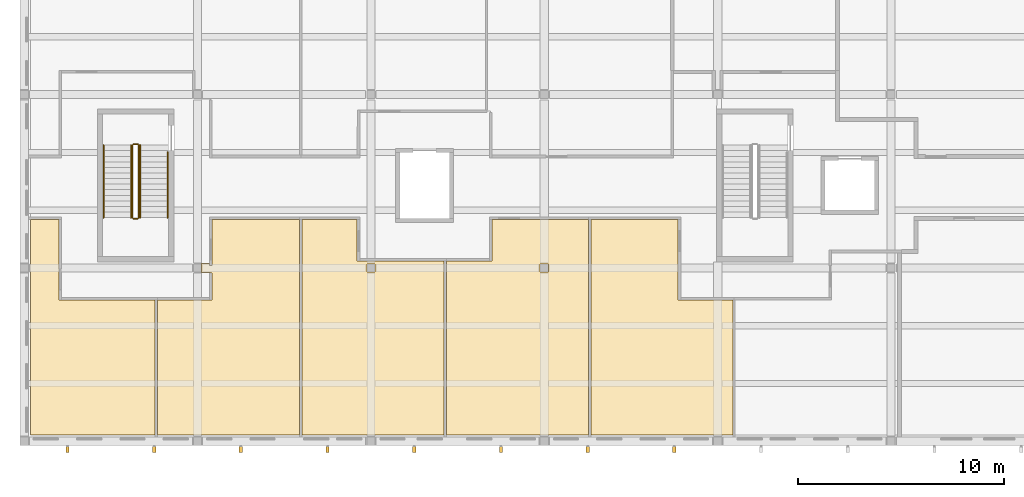
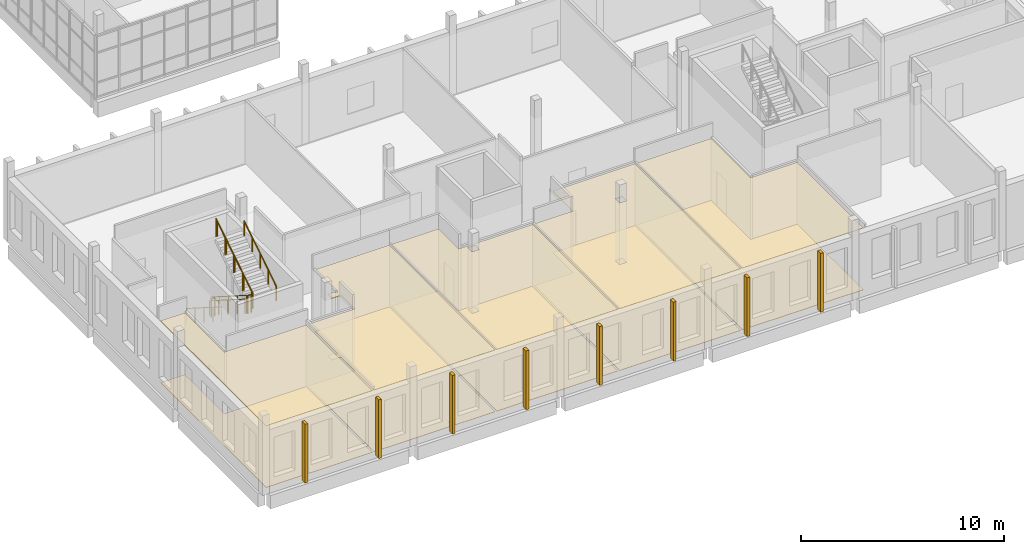
# One storey, part 76 of 103: 18 coverings, 8 railings.
"""IFC4 building model written with IfcOpenShell, lengths in metres."""

from ifc_helpers import new_model, si_unit, direction, frame, origin, origin_2d, place, context, subcontext, project, spatial, polyline, circle, outline, extrude, material, layer, layer_set, type_object, element, save


model = new_model("IFC4")

# Units and contexts
model_context = context("Model", 3, precision=1e-05, world=origin(), true_north=direction((0.0, 1.0)))
body_context = subcontext(model_context, "Body", "Model", "MODEL_VIEW")
ifc_project = project(units=[si_unit("LENGTHUNIT", "METRE"), si_unit("AREAUNIT", "SQUARE_METRE"), si_unit("VOLUMEUNIT", "CUBIC_METRE"), si_unit("PLANEANGLEUNIT", "RADIAN"), si_unit("MASSUNIT", "GRAM", prefix="KILO")], contexts=[model_context])

# Site, building, storey
site_placement = place(None, origin())
site = spatial("IfcSite", under=ifc_project, at=site_placement, CompositionType="ELEMENT")
building_placement = place(site_placement, origin())
building = spatial("IfcBuilding", under=site, at=building_placement, Name="Larchfold Concert Hall", CompositionType="ELEMENT")
storey_placement = place(building_placement, frame((0.0, 0.0, 9.60009765625)))
storey = spatial("IfcBuildingStorey", under=building, at=storey_placement, Name="L02", CompositionType="ELEMENT", Elevation=9.60009765625)

# Coverings
ifc_material_1 = material(Name="Plasterboard ceiling lining")
ifc_layer_1 = layer(ifc_material_1, 0.030029296875)
ifc_layer_set_1 = layer_set([ifc_layer_1], Name="Plasterboard ceiling lining")
covering_type_1 = type_object("IfcCoveringType", Name="Ceiling suspended plasterboard 30", PredefinedType="CEILING", material=ifc_layer_set_1)
covering_1_placement = place(storey_placement, frame((0.0, 0.0, 3.7099609375)))
element("IfcCovering", 1, at=covering_1_placement, inside=storey, type_object=covering_type_1, Name="Ceiling Administration Office 01", PredefinedType="CEILING", context=body_context, shape_type="SweptSolid", body=[
    extrude(outline(polyline([(0.900146484375, 0.900146484375), (6.949951171875, 0.900146484375), (6.949951171875, 7.4375), (2.28759765625, 7.4375), (2.28759765625, 11.33740234375), (0.900146484375, 11.33740234375), (0.900146484375, 0.900146484375)])), origin(), (0.0, 0.0, 1.0), 0.030029296875),
])
covering_2_placement = place(storey_placement, frame((0.0, 0.0, 3.7099609375)))
element("IfcCovering", 2, at=covering_2_placement, inside=storey, type_object=covering_type_1, Name="Ceiling Administration Office 03", PredefinedType="CEILING", context=body_context, shape_type="SweptSolid", body=[
    extrude(outline(polyline([(14.050048828125, 0.900146484375), (20.949951171875, 0.900146484375), (20.949951171875, 9.33740234375), (16.737548828125, 9.33740234375), (16.737548828125, 11.33740234375), (14.050048828125, 11.33740234375), (14.050048828125, 0.900146484375)]), holes=[polyline([(17.599853515625, 8.800048828125), (17.199951171875, 8.800048828125), (17.199951171875, 9.199951171875), (17.599853515625, 9.199951171875), (17.599853515625, 8.800048828125)])]), origin(), (0.0, 0.0, 1.0), 0.030029296875),
])
covering_3_placement = place(storey_placement, frame((0.0, 0.0, 3.7099609375)))
element("IfcCovering", 3, at=covering_3_placement, inside=storey, type_object=covering_type_1, Name="Ceiling Administration Office 05", PredefinedType="CEILING", context=body_context, shape_type="SweptSolid", body=[
    extrude(outline(polyline([(28.050048828125, 0.900146484375), (34.949951171875, 0.900146484375), (34.949951171875, 7.4375), (32.28759765625, 7.4375), (32.28759765625, 11.33740234375), (28.050048828125, 11.33740234375), (28.050048828125, 0.900146484375)])), origin(), (0.0, 0.0, 1.0), 0.030029296875),
])
covering_4_placement = place(storey_placement, frame((0.0, 0.0, 3.7099609375)))
element("IfcCovering", 4, at=covering_4_placement, inside=storey, type_object=covering_type_1, Name="Ceiling Administration Office 02", PredefinedType="CEILING", context=body_context, shape_type="SweptSolid", body=[
    extrude(outline(polyline([(7.050048828125, 0.900146484375), (13.949951171875, 0.900146484375), (13.949951171875, 11.33740234375), (9.71240234375, 11.33740234375), (9.71240234375, 9.12744140625), (9.58740234375, 9.12744140625), (9.58740234375, 9.219970703125), (9.193603515625, 9.219482421875), (9.161376953125, 9.199951171875), (9.199951171875, 9.199951171875), (9.199951171875, 8.800048828125), (9.16357421875, 8.800048828125), (9.167236328125, 8.792236328125), (9.198486328125, 8.780029296875), (9.619384765625, 8.780029296875), (9.619384765625, 8.74755859375), (9.71142578125, 8.74755859375), (9.71142578125, 7.4384765625), (7.050048828125, 7.4384765625), (7.050048828125, 0.900146484375)])), origin(), (0.0, 0.0, 1.0), 0.030029296875),
])
covering_5_placement = place(storey_placement, frame((0.0, 0.0, 3.7099609375)))
element("IfcCovering", 5, at=covering_5_placement, inside=storey, type_object=covering_type_1, Name="Ceiling Administration Office 04", PredefinedType="CEILING", context=body_context, shape_type="SweptSolid", body=[
    extrude(outline(polyline([(21.050048828125, 9.33837890625), (21.050048828125, 0.900146484375), (27.949951171875, 0.900146484375), (27.949951171875, 11.33837890625), (23.262451171875, 11.33837890625), (23.261474609375, 9.33837890625), (21.050048828125, 9.33837890625)]), holes=[polyline([(26.0, 9.199951171875), (26.0, 8.800048828125), (25.60009765625, 8.800048828125), (25.60009765625, 9.199951171875), (26.0, 9.199951171875)])]), origin(), (0.0, 0.0, 1.0), 0.030029296875),
])
ifc_material_2 = material(Name="Linoleum sheet")
ifc_layer_2 = layer(ifc_material_2, 0.02001953125)
ifc_layer_set_2 = layer_set([ifc_layer_2], Name="Linoleum sheet")
covering_type_2 = type_object("IfcCoveringType", Name="Floor finish vinyl 20", PredefinedType="FLOORING", material=ifc_layer_set_2)
covering_6_placement = place(storey_placement, origin())
element("IfcCovering", 6, at=covering_6_placement, inside=storey, type_object=covering_type_2, Name="Floor finish Administration Office 01", PredefinedType="FLOORING", context=body_context, shape_type="SweptSolid", body=[
    extrude(outline(polyline([(0.900146484375, 0.900146484375), (6.949951171875, 0.900146484375), (6.949951171875, 7.4375), (2.28759765625, 7.4375), (2.28759765625, 11.33740234375), (0.900146484375, 11.33740234375), (0.900146484375, 0.900146484375)])), origin(), (0.0, 0.0, 1.0), 0.02001953125),
])
covering_7_placement = place(storey_placement, origin())
element("IfcCovering", 7, at=covering_7_placement, inside=storey, type_object=covering_type_2, Name="Floor finish Administration Office 03", PredefinedType="FLOORING", context=body_context, shape_type="SweptSolid", body=[
    extrude(outline(polyline([(14.050048828125, 0.900146484375), (20.949951171875, 0.900146484375), (20.949951171875, 9.33740234375), (16.737548828125, 9.33740234375), (16.737548828125, 11.33740234375), (14.050048828125, 11.33740234375), (14.050048828125, 0.900146484375)]), holes=[polyline([(17.599853515625, 8.800048828125), (17.199951171875, 8.800048828125), (17.199951171875, 9.199951171875), (17.599853515625, 9.199951171875), (17.599853515625, 8.800048828125)])]), origin(), (0.0, 0.0, 1.0), 0.02001953125),
])
covering_8_placement = place(storey_placement, origin())
element("IfcCovering", 8, at=covering_8_placement, inside=storey, type_object=covering_type_2, Name="Floor finish Administration Office 05", PredefinedType="FLOORING", context=body_context, shape_type="SweptSolid", body=[
    extrude(outline(polyline([(28.050048828125, 0.900146484375), (34.949951171875, 0.900146484375), (34.949951171875, 7.4375), (32.28759765625, 7.4375), (32.28759765625, 11.33740234375), (28.050048828125, 11.33740234375), (28.050048828125, 0.900146484375)])), origin(), (0.0, 0.0, 1.0), 0.02001953125),
])
covering_9_placement = place(storey_placement, origin())
element("IfcCovering", 9, at=covering_9_placement, inside=storey, type_object=covering_type_2, Name="Floor finish Administration Office 02", PredefinedType="FLOORING", context=body_context, shape_type="SweptSolid", body=[
    extrude(outline(polyline([(7.050048828125, 0.900146484375), (13.949951171875, 0.900146484375), (13.949951171875, 11.33740234375), (9.71240234375, 11.33740234375), (9.71240234375, 9.12744140625), (9.58740234375, 9.12744140625), (9.58740234375, 9.219970703125), (9.193603515625, 9.219482421875), (9.161376953125, 9.199951171875), (9.199951171875, 9.199951171875), (9.199951171875, 8.800048828125), (9.16357421875, 8.800048828125), (9.167236328125, 8.792236328125), (9.198486328125, 8.780029296875), (9.619384765625, 8.780029296875), (9.619384765625, 8.74755859375), (9.71142578125, 8.74755859375), (9.71142578125, 7.4384765625), (7.050048828125, 7.4384765625), (7.050048828125, 0.900146484375)])), origin(), (0.0, 0.0, 1.0), 0.02001953125),
])
covering_10_placement = place(storey_placement, origin())
element("IfcCovering", 10, at=covering_10_placement, inside=storey, type_object=covering_type_2, Name="Floor finish Administration Office 04", PredefinedType="FLOORING", context=body_context, shape_type="SweptSolid", body=[
    extrude(outline(polyline([(21.050048828125, 9.33837890625), (21.050048828125, 0.900146484375), (27.949951171875, 0.900146484375), (27.949951171875, 11.33837890625), (23.262451171875, 11.33837890625), (23.261474609375, 9.33837890625), (21.050048828125, 9.33837890625)]), holes=[polyline([(26.0, 9.199951171875), (26.0, 8.800048828125), (25.60009765625, 8.800048828125), (25.60009765625, 9.199951171875), (26.0, 9.199951171875)])]), origin(), (0.0, 0.0, 1.0), 0.02001953125),
])
ifc_material_3 = material(Name="Glulam GL30c", Category="wood")
ifc_layer_3 = layer(ifc_material_3, 0.159912109375)
ifc_layer_set_3 = layer_set([ifc_layer_3], Name="Glulam GL30c")
covering_type_3 = type_object("IfcCoveringType", Name="Glulam fin 160x300", PredefinedType="CLADDING", material=ifc_layer_set_3)
covering_11_placement = place(storey_placement, frame((0.0, 0.0, 0.199951171875)))
element("IfcCovering", 11, at=covering_11_placement, inside=storey, type_object=covering_type_3, Name="Glulam fin FN-L02-019", PredefinedType="CLADDING", context=body_context, shape_type="SweptSolid", body=[
    extrude(outline(polyline([(2.780029296875, 0.050048828125), (2.780029296875, 0.35009765625), (2.6201171875, 0.35009765625), (2.6201171875, 0.050048828125), (2.780029296875, 0.050048828125)])), origin(), (0.0, 0.0, 1.0), 3.5400390625),
])
covering_12_placement = place(storey_placement, frame((0.0, 0.0, 0.199951171875)))
element("IfcCovering", 12, at=covering_12_placement, inside=storey, type_object=covering_type_3, Name="Glulam fin FN-L02-020", PredefinedType="CLADDING", context=body_context, shape_type="SweptSolid", body=[
    extrude(outline(polyline([(6.97998046875, 0.050048828125), (6.97998046875, 0.35009765625), (6.820068359375, 0.35009765625), (6.820068359375, 0.050048828125), (6.97998046875, 0.050048828125)])), origin(), (0.0, 0.0, 1.0), 3.5400390625),
])
covering_13_placement = place(storey_placement, frame((0.0, 0.0, 0.199951171875)))
element("IfcCovering", 13, at=covering_13_placement, inside=storey, type_object=covering_type_3, Name="Glulam fin FN-L02-021", PredefinedType="CLADDING", context=body_context, shape_type="SweptSolid", body=[
    extrude(outline(polyline([(11.179931640625, 0.050048828125), (11.179931640625, 0.35009765625), (11.02001953125, 0.35009765625), (11.02001953125, 0.050048828125), (11.179931640625, 0.050048828125)])), origin(), (0.0, 0.0, 1.0), 3.5400390625),
])
covering_14_placement = place(storey_placement, frame((0.0, 0.0, 0.199951171875)))
element("IfcCovering", 14, at=covering_14_placement, inside=storey, type_object=covering_type_3, Name="Glulam fin FN-L02-022", PredefinedType="CLADDING", context=body_context, shape_type="SweptSolid", body=[
    extrude(outline(polyline([(15.3798828125, 0.050048828125), (15.3798828125, 0.35009765625), (15.219970703125, 0.35009765625), (15.219970703125, 0.050048828125), (15.3798828125, 0.050048828125)])), origin(), (0.0, 0.0, 1.0), 3.5400390625),
])
covering_15_placement = place(storey_placement, frame((0.0, 0.0, 0.199951171875)))
element("IfcCovering", 15, at=covering_15_placement, inside=storey, type_object=covering_type_3, Name="Glulam fin FN-L02-023", PredefinedType="CLADDING", context=body_context, shape_type="SweptSolid", body=[
    extrude(outline(polyline([(19.580078125, 0.050048828125), (19.580078125, 0.35009765625), (19.419921875, 0.35009765625), (19.419921875, 0.050048828125), (19.580078125, 0.050048828125)])), origin(), (0.0, 0.0, 1.0), 3.5400390625),
])
covering_16_placement = place(storey_placement, frame((0.0, 0.0, 0.199951171875)))
element("IfcCovering", 16, at=covering_16_placement, inside=storey, type_object=covering_type_3, Name="Glulam fin FN-L02-024", PredefinedType="CLADDING", context=body_context, shape_type="SweptSolid", body=[
    extrude(outline(polyline([(23.780029296875, 0.050048828125), (23.780029296875, 0.35009765625), (23.6201171875, 0.35009765625), (23.6201171875, 0.050048828125), (23.780029296875, 0.050048828125)])), origin(), (0.0, 0.0, 1.0), 3.5400390625),
])
covering_17_placement = place(storey_placement, frame((0.0, 0.0, 0.199951171875)))
element("IfcCovering", 17, at=covering_17_placement, inside=storey, type_object=covering_type_3, Name="Glulam fin FN-L02-025", PredefinedType="CLADDING", context=body_context, shape_type="SweptSolid", body=[
    extrude(outline(polyline([(27.97998046875, 0.050048828125), (27.97998046875, 0.35009765625), (27.820068359375, 0.35009765625), (27.820068359375, 0.050048828125), (27.97998046875, 0.050048828125)])), origin(), (0.0, 0.0, 1.0), 3.5400390625),
])
covering_18_placement = place(storey_placement, frame((0.0, 0.0, 0.199951171875)))
element("IfcCovering", 18, at=covering_18_placement, inside=storey, type_object=covering_type_3, Name="Glulam fin FN-L02-026", PredefinedType="CLADDING", context=body_context, shape_type="SweptSolid", body=[
    extrude(outline(polyline([(32.179931640625, 0.050048828125), (32.179931640625, 0.35009765625), (32.02001953125, 0.35009765625), (32.02001953125, 0.050048828125), (32.179931640625, 0.050048828125)])), origin(), (0.0, 0.0, 1.0), 3.5400390625),
])

# Railings
ifc_material_4 = material(Name="Stainless steel balustrade", Category="steel")
railing_type_1 = type_object("IfcRailingType", Name="Stair guard 1100", PredefinedType="GUARDRAIL", material=ifc_material_4)
railing_1_placement = place(storey_placement, frame((5.849853515625, 14.949951171875, 0.17138671875)))
element("IfcRailing", 19, at=railing_1_placement, inside=storey, type_object=railing_type_1, Name="Guard GR0076", PredefinedType="GUARDRAIL", context=body_context, shape_type="SweptSolid", body=[
    extrude(circle(Radius=0.02392578125, at=origin_2d()), frame((0.0, 0.0, 1.076171875), z_axis=(0.0, -0.844219563411, 0.53599750816), x_axis=(1.0, 0.0, 0.0)), (0.0, 0.0, 1.0), 4.15771484375),
    extrude(circle(Radius=0.02099609375, at=origin_2d()), origin(), (0.0, 0.0, 1.0), 1.052001953125),
    extrude(circle(Radius=0.02099609375, at=origin_2d()), frame((0.0, -0.87744140625, 0.55712890625)), (0.0, 0.0, 1.0), 1.052001953125),
    extrude(circle(Radius=0.02099609375, at=origin_2d()), frame((0.0, -1.7548828125, 1.1142578125)), (0.0, 0.0, 1.0), 1.052001953125),
    extrude(circle(Radius=0.02099609375, at=origin_2d()), frame((0.0, -2.632568359375, 1.67138671875)), (0.0, 0.0, 1.0), 1.052001953125),
    extrude(circle(Radius=0.02099609375, at=origin_2d()), frame((0.0, -3.510009765625, 2.228515625)), (0.0, 0.0, 1.0), 1.052001953125),
])
railing_2_placement = place(storey_placement, frame((5.89990234375, 11.389892578125, 2.39990234375)))
element("IfcRailing", 20, at=railing_2_placement, inside=storey, type_object=railing_type_1, Name="Guard GR0077", PredefinedType="GUARDRAIL", context=body_context, shape_type="SweptSolid", body=[
    extrude(circle(Radius=0.02392578125, at=origin_2d()), frame((0.0, 0.0, 1.076171875), z_axis=(1.0, 0.0, 0.0), x_axis=(0.0, 1.0, 0.0)), (0.0, 0.0, 1.0), 0.199951171875),
    extrude(circle(Radius=0.02099609375, at=origin_2d()), origin(), (0.0, 0.0, 1.0), 1.052001953125),
    extrude(circle(Radius=0.02099609375, at=origin_2d()), frame((0.199951171875, 0.0, 0.0)), (0.0, 0.0, 1.0), 1.052001953125),
])
railing_3_placement = place(storey_placement, frame((6.14990234375, 11.43994140625, 2.5712890625)))
element("IfcRailing", 21, at=railing_3_placement, inside=storey, type_object=railing_type_1, Name="Guard GR0078", PredefinedType="GUARDRAIL", context=body_context, shape_type="SweptSolid", body=[
    extrude(circle(Radius=0.02392578125, at=origin_2d()), frame((0.0, 0.0, 1.076171875), z_axis=(0.0, 0.844219563411, 0.53599750816), x_axis=(-1.0, 0.0, 0.0)), (0.0, 0.0, 1.0), 4.15771484375),
    extrude(circle(Radius=0.02099609375, at=origin_2d()), origin(), (0.0, 0.0, 1.0), 1.052001953125),
    extrude(circle(Radius=0.02099609375, at=origin_2d()), frame((0.0, 0.87744140625, 0.55712890625)), (0.0, 0.0, 1.0), 1.052001953125),
    extrude(circle(Radius=0.02099609375, at=origin_2d()), frame((0.0, 1.7548828125, 1.1142578125)), (0.0, 0.0, 1.0), 1.052001953125),
    extrude(circle(Radius=0.02099609375, at=origin_2d()), frame((0.0, 2.632568359375, 1.67138671875)), (0.0, 0.0, 1.0), 1.052001953125),
    extrude(circle(Radius=0.02099609375, at=origin_2d()), frame((0.0, 3.510009765625, 2.228515625)), (0.0, 0.0, 1.0), 1.052001953125),
])
railing_4_placement = place(storey_placement, frame((5.89990234375, 15.0, 0.0)))
element("IfcRailing", 22, at=railing_4_placement, inside=storey, type_object=railing_type_1, Name="Guard GR0079", PredefinedType="GUARDRAIL", context=body_context, shape_type="SweptSolid", body=[
    extrude(circle(Radius=0.02392578125, at=origin_2d()), frame((0.0, 0.0, 1.076171875), z_axis=(1.0, 0.0, 0.0), x_axis=(0.0, 1.0, 0.0)), (0.0, 0.0, 1.0), 0.199951171875),
    extrude(circle(Radius=0.02099609375, at=origin_2d()), origin(), (0.0, 0.0, 1.0), 1.052001953125),
    extrude(circle(Radius=0.02099609375, at=origin_2d()), frame((0.199951171875, 0.0, 0.0)), (0.0, 0.0, 1.0), 1.052001953125),
])
ifc_material_5 = material(Name="Stainless steel handrail", Category="steel")
railing_type_2 = type_object("IfcRailingType", Name="Stair handrail 900", PredefinedType="HANDRAIL", material=ifc_material_5)
railing_5_placement = place(storey_placement, frame((4.449951171875, 14.949951171875, 0.17138671875)))
element("IfcRailing", 23, at=railing_5_placement, inside=storey, type_object=railing_type_2, Name="Handrail HR0073", PredefinedType="HANDRAIL", context=body_context, shape_type="SweptSolid", body=[
    extrude(circle(Radius=0.02392578125, at=origin_2d()), frame((0.0, 0.0, 0.8759765625), z_axis=(0.0, -0.844219563411, 0.53599750816), x_axis=(1.0, 0.0, 0.0)), (0.0, 0.0, 1.0), 4.15771484375),
    extrude(circle(Radius=0.02099609375, at=origin_2d()), origin(), (0.0, 0.0, 1.0), 0.851806640625),
    extrude(circle(Radius=0.02099609375, at=origin_2d()), frame((0.0, -0.87744140625, 0.55712890625)), (0.0, 0.0, 1.0), 0.851806640625),
    extrude(circle(Radius=0.02099609375, at=origin_2d()), frame((0.0, -1.7548828125, 1.1142578125)), (0.0, 0.0, 1.0), 0.851806640625),
    extrude(circle(Radius=0.02099609375, at=origin_2d()), frame((0.0, -2.632568359375, 1.67138671875)), (0.0, 0.0, 1.0), 0.851806640625),
    extrude(circle(Radius=0.02099609375, at=origin_2d()), frame((0.0, -3.510009765625, 2.228515625)), (0.0, 0.0, 1.0), 0.851806640625),
])
railing_6_placement = place(storey_placement, frame((7.5498046875, 11.43994140625, 2.5712890625)))
element("IfcRailing", 24, at=railing_6_placement, inside=storey, type_object=railing_type_2, Name="Handrail HR0074", PredefinedType="HANDRAIL", context=body_context, shape_type="SweptSolid", body=[
    extrude(circle(Radius=0.02392578125, at=origin_2d()), frame((0.0, 0.0, 0.8759765625), z_axis=(0.0, 0.844224994989, 0.535988953092), x_axis=(-1.0, 0.0, 0.0)), (0.0, 0.0, 1.0), 3.7431640625),
    extrude(circle(Radius=0.02099609375, at=origin_2d()), origin(), (0.0, 0.0, 1.0), 0.851806640625),
    extrude(circle(Radius=0.02099609375, at=origin_2d()), frame((0.0, 0.7900390625, 0.50146484375)), (0.0, 0.0, 1.0), 0.851806640625),
    extrude(circle(Radius=0.02099609375, at=origin_2d()), frame((0.0, 1.580078125, 1.003173828125)), (0.0, 0.0, 1.0), 0.851806640625),
    extrude(circle(Radius=0.02099609375, at=origin_2d()), frame((0.0, 2.3701171875, 1.5048828125)), (0.0, 0.0, 1.0), 0.851806640625),
    extrude(circle(Radius=0.02099609375, at=origin_2d()), frame((0.0, 3.16015625, 2.00634765625)), (0.0, 0.0, 1.0), 0.851806640625),
])
railing_7_placement = place(storey_placement, frame((5.77978515625, 14.949951171875, 0.17138671875)))
element("IfcRailing", 25, at=railing_7_placement, inside=storey, type_object=railing_type_2, Name="Handrail HR0075", PredefinedType="HANDRAIL", context=body_context, shape_type="SweptSolid", body=[
    extrude(circle(Radius=0.02392578125, at=origin_2d()), frame((0.0, 0.0, 0.8759765625), z_axis=(0.0, -0.844219563411, 0.53599750816), x_axis=(1.0, 0.0, 0.0)), (0.0, 0.0, 1.0), 4.15771484375),
    extrude(circle(Radius=0.02099609375, at=origin_2d()), origin(), (0.0, 0.0, 1.0), 0.851806640625),
    extrude(circle(Radius=0.02099609375, at=origin_2d()), frame((0.0, -0.87744140625, 0.55712890625)), (0.0, 0.0, 1.0), 0.851806640625),
    extrude(circle(Radius=0.02099609375, at=origin_2d()), frame((0.0, -1.7548828125, 1.1142578125)), (0.0, 0.0, 1.0), 0.851806640625),
    extrude(circle(Radius=0.02099609375, at=origin_2d()), frame((0.0, -2.632568359375, 1.67138671875)), (0.0, 0.0, 1.0), 0.851806640625),
    extrude(circle(Radius=0.02099609375, at=origin_2d()), frame((0.0, -3.510009765625, 2.228515625)), (0.0, 0.0, 1.0), 0.851806640625),
])
railing_8_placement = place(storey_placement, frame((6.219970703125, 11.43994140625, 2.5712890625)))
element("IfcRailing", 26, at=railing_8_placement, inside=storey, type_object=railing_type_2, Name="Handrail HR0076", PredefinedType="HANDRAIL", context=body_context, shape_type="SweptSolid", body=[
    extrude(circle(Radius=0.02392578125, at=origin_2d()), frame((0.0, 0.0, 0.8759765625), z_axis=(0.0, 0.844219563411, 0.53599750816), x_axis=(-1.0, 0.0, 0.0)), (0.0, 0.0, 1.0), 4.15771484375),
    extrude(circle(Radius=0.02099609375, at=origin_2d()), origin(), (0.0, 0.0, 1.0), 0.851806640625),
    extrude(circle(Radius=0.02099609375, at=origin_2d()), frame((0.0, 0.87744140625, 0.55712890625)), (0.0, 0.0, 1.0), 0.851806640625),
    extrude(circle(Radius=0.02099609375, at=origin_2d()), frame((0.0, 1.7548828125, 1.1142578125)), (0.0, 0.0, 1.0), 0.851806640625),
    extrude(circle(Radius=0.02099609375, at=origin_2d()), frame((0.0, 2.632568359375, 1.67138671875)), (0.0, 0.0, 1.0), 0.851806640625),
    extrude(circle(Radius=0.02099609375, at=origin_2d()), frame((0.0, 3.510009765625, 2.228515625)), (0.0, 0.0, 1.0), 0.851806640625),
])

save(model, "model.ifc")
